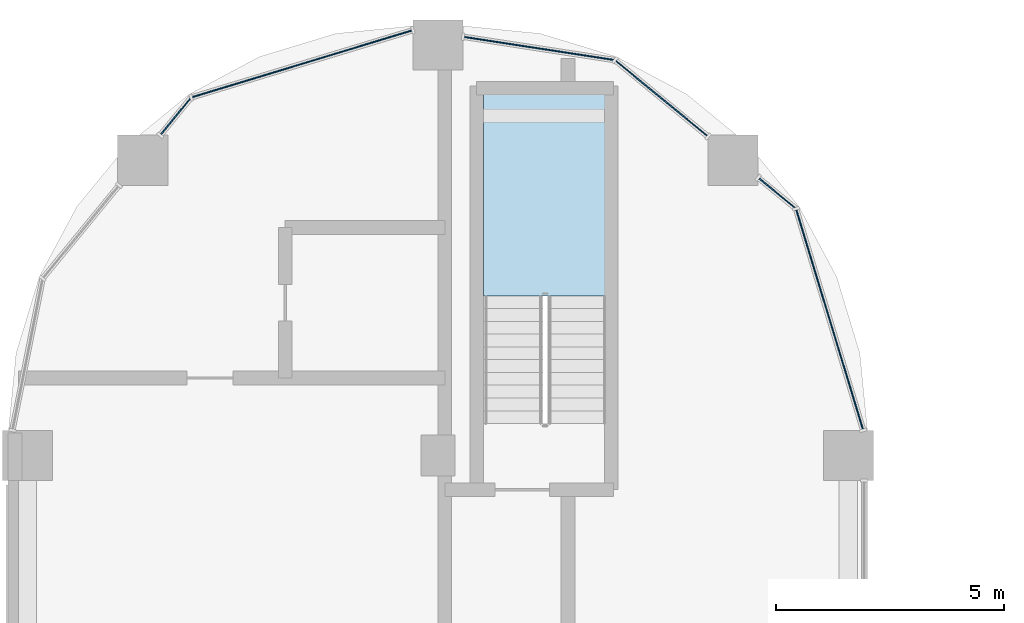
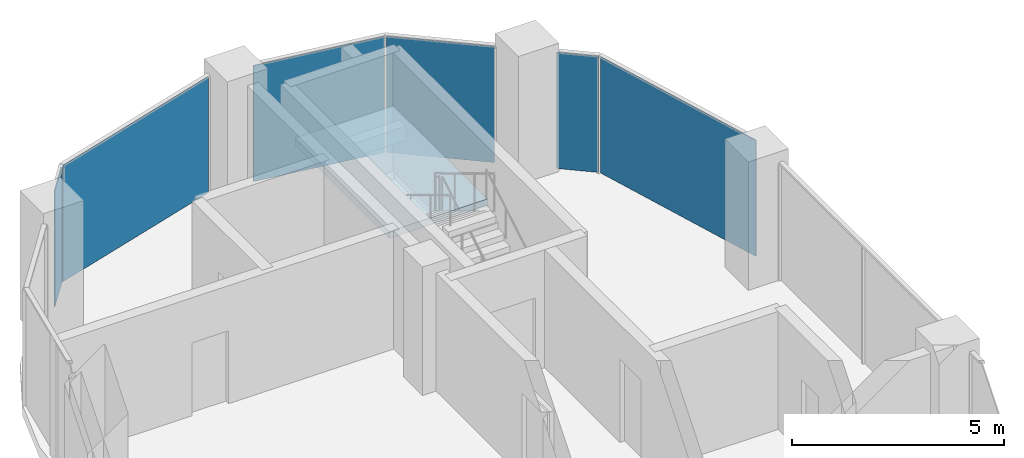
# One storey, part 9 of 21: 6 plates, 1 slab, 4 elements without a shape of their own.
"""IFC4 building model written with IfcOpenShell, lengths in metres."""

from ifc_helpers import new_model, si_unit, direction, frame, origin, origin_2d, place, context, subcontext, project, spatial, polyline, rectangle, outline, extrude, material, layer, layer_set, type_object, element, aggregate, save


model = new_model("IFC4")

# Units and contexts
model_context = context("Model", 3, precision=1e-05, world=origin(), true_north=direction((0.0, 1.0)))
body_context = subcontext(model_context, "Body", "Model", "MODEL_VIEW")
ifc_project = project(units=[si_unit("LENGTHUNIT", "METRE"), si_unit("AREAUNIT", "SQUARE_METRE"), si_unit("VOLUMEUNIT", "CUBIC_METRE"), si_unit("PLANEANGLEUNIT", "RADIAN"), si_unit("MASSUNIT", "GRAM", prefix="KILO")], contexts=[model_context])

# Site, building, storey
site_placement = place(None, origin())
site = spatial("IfcSite", under=ifc_project, at=site_placement, CompositionType="ELEMENT")
building_placement = place(site_placement, origin())
building = spatial("IfcBuilding", under=site, at=building_placement, Name="Ogive Portal Towers", CompositionType="ELEMENT")
storey_placement = place(building_placement, frame((0.0, 0.0, 157.0)))
storey = spatial("IfcBuildingStorey", under=building, at=storey_placement, Name="L38", CompositionType="ELEMENT", Elevation=157.0)

# Curtain wall, plates
ifc_material_1 = material(Name="Glass, clear low-iron insulated glazing", Category="glass")
curtain_wall_type = type_object("IfcCurtainWallType", Name="CW FRONT RIBBON 4500", PredefinedType="NOTDEFINED", material=ifc_material_1)
curtain_wall_1_placement = place(storey_placement, origin())
curtain_wall_1 = element("IfcCurtainWall", 1, at=curtain_wall_1_placement, inside=storey, type_object=curtain_wall_type, Name="A:L38:f07:cwa~0", PredefinedType="NOTDEFINED")
ifc_layer_1 = layer(ifc_material_1, 0.028076171875)
ifc_layer_set_1 = layer_set([ifc_layer_1], Name="CW PANEL IGU 28")
plate_type = type_object("IfcPlateType", Name="CW PANEL IGU 28", PredefinedType="CURTAIN_PANEL", material=ifc_layer_set_1)
plate_1_placement = place(storey_placement, frame((49.0888671875, 69.48095703125, 0.0), z_axis=(0.0, 0.0, 1.0), x_axis=(-0.290284677254, 0.956940335732, 0.0)))
plate_1 = element("IfcPlate", 2, at=plate_1_placement, type_object=plate_type, Name="panel", PredefinedType="CURTAIN_PANEL", context=body_context, shape_type="SweptSolid", body=[
    extrude(rectangle(XDim=5.020751953125, YDim=0.028076171875, at=origin_2d()), origin(), (0.0, 0.0, 1.0), 3.340087890625),
])
plate_2_placement = place(storey_placement, frame((47.937255859375, 72.251953125, 0.0), z_axis=(0.0, 0.0, 1.0), x_axis=(-0.773010453363, 0.634393284164, 0.0)))
plate_2 = element("IfcPlate", 3, at=plate_2_placement, type_object=plate_type, Name="panel", PredefinedType="CURTAIN_PANEL", context=body_context, shape_type="SweptSolid", body=[
    extrude(rectangle(XDim=1.01171875, YDim=0.028076171875, at=origin_2d()), origin(), (0.0, 0.0, 1.0), 3.340087890625),
])
aggregate(curtain_wall_1, [plate_1, plate_2])

curtain_wall_2_placement = place(storey_placement, origin())
curtain_wall_2 = element("IfcCurtainWall", 4, at=curtain_wall_2_placement, inside=storey, type_object=curtain_wall_type, Name="A:L38:f07:cwa~1", PredefinedType="NOTDEFINED")
plate_3_placement = place(storey_placement, frame((45.40234375, 74.332275390625, 0.0), z_axis=(0.0, 0.0, 1.0), x_axis=(-0.773010453363, 0.634393284164, 0.0)))
plate_3 = element("IfcPlate", 5, at=plate_3_placement, type_object=plate_type, Name="panel", PredefinedType="CURTAIN_PANEL", context=body_context, shape_type="SweptSolid", body=[
    extrude(rectangle(XDim=2.580810546875, YDim=0.028076171875, at=origin_2d()), origin(), (0.0, 0.0, 1.0), 3.340087890625),
])
plate_4_placement = place(storey_placement, frame((42.7158203125, 75.42626953125, 0.0), z_axis=(0.0, 0.0, 1.0), x_axis=(-0.988369166731, 0.15207363432, 0.0)))
plate_4 = element("IfcPlate", 6, at=plate_4_placement, type_object=plate_type, Name="panel", PredefinedType="CURTAIN_PANEL", context=body_context, shape_type="SweptSolid", body=[
    extrude(rectangle(XDim=3.310791015625, YDim=0.028076171875, at=origin_2d()), origin(), (0.0, 0.0, 1.0), 3.340087890625),
])
aggregate(curtain_wall_2, [plate_3, plate_4])

curtain_wall_3_placement = place(storey_placement, origin())
curtain_wall_3 = element("IfcCurtainWall", 7, at=curtain_wall_3_placement, inside=storey, type_object=curtain_wall_type, Name="A:L38:f07:cwa~2", PredefinedType="NOTDEFINED")
plate_5_placement = place(storey_placement, frame((37.51904296875, 75.0888671875, 0.0), z_axis=(0.0, 0.0, 1.0), x_axis=(-0.956940335732, -0.290284677254, 0.0)))
plate_5 = element("IfcPlate", 8, at=plate_5_placement, type_object=plate_type, Name="panel", PredefinedType="CURTAIN_PANEL", context=body_context, shape_type="SweptSolid", body=[
    extrude(rectangle(XDim=5.020751953125, YDim=0.028076171875, at=origin_2d()), origin(), (0.0, 0.0, 1.0), 3.340087890625),
])
plate_6_placement = place(storey_placement, frame((34.748046875, 73.937255859375, 0.0), z_axis=(0.0, 0.0, 1.0), x_axis=(-0.634393284164, -0.773010453363, 0.0)))
plate_6 = element("IfcPlate", 9, at=plate_6_placement, type_object=plate_type, Name="panel", PredefinedType="CURTAIN_PANEL", context=body_context, shape_type="SweptSolid", body=[
    extrude(rectangle(XDim=1.01171875, YDim=0.028076171875, at=origin_2d()), origin(), (0.0, 0.0, 1.0), 3.340087890625),
])
aggregate(curtain_wall_3, [plate_5, plate_6])

# Stair, slab
ifc_material_2 = material(Name="Concrete C40/50", Category="concrete")
stair_type = type_object("IfcStairType", Name="INT-STAIR", PredefinedType="HALF_TURN_STAIR", material=ifc_material_2)
stair_placement = place(storey_placement, origin())
stair = element("IfcStair", 10, at=stair_placement, inside=storey, type_object=stair_type, Name="L38 Exit Stair ST-A3", PredefinedType="HALF_TURN_STAIR")
ifc_layer_2 = layer(ifc_material_2, 0.199951171875)
ifc_layer_set_2 = layer_set([ifc_layer_2], Name="INT-LANDING")
slab_type = type_object("IfcSlabType", Name="INT-LANDING", PredefinedType="LANDING", material=ifc_layer_set_2)
slab_placement = place(storey_placement, frame((0.0, 0.0, 1.64990234375)))
slab = element("IfcSlab", 11, at=slab_placement, type_object=slab_type, Name="ST-A3 landing 1", PredefinedType="LANDING", context=body_context, shape_type="SweptSolid", body=[
    extrude(outline(polyline([(44.199951171875, 70.0), (44.199951171875, 74.449951171875), (41.5, 74.449951171875), (41.5, 70.0), (44.199951171875, 70.0)])), origin(), (0.0, 0.0, 1.0), 0.2001953125),
])
aggregate(stair, [slab])

save(model, "model.ifc")
